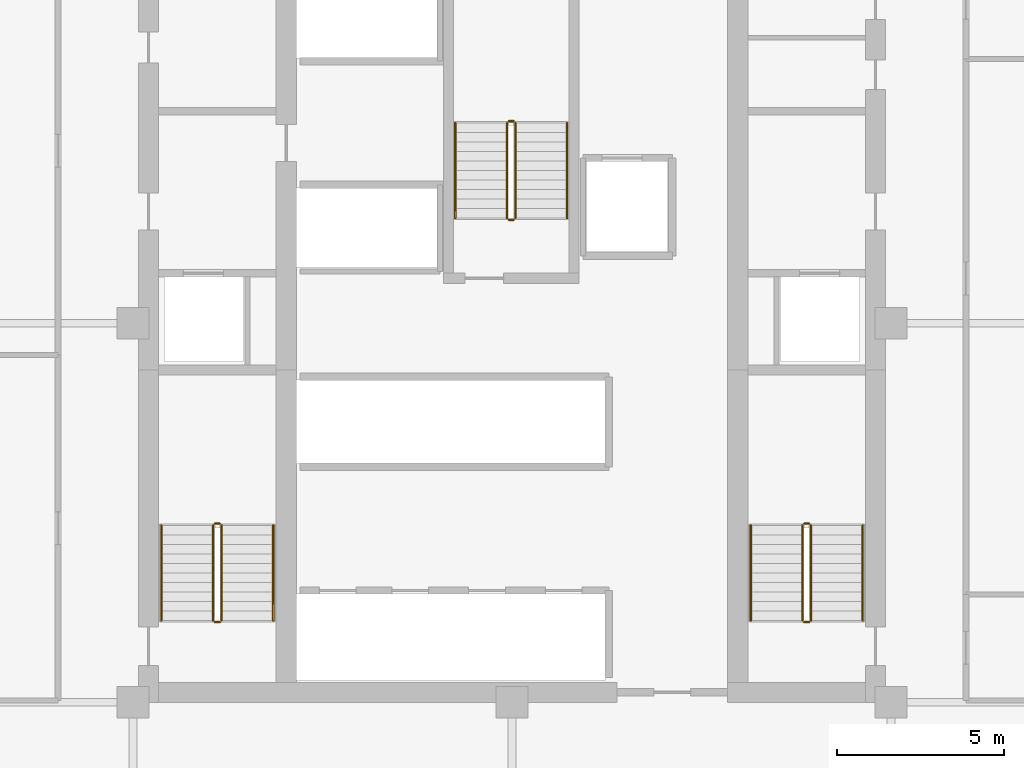
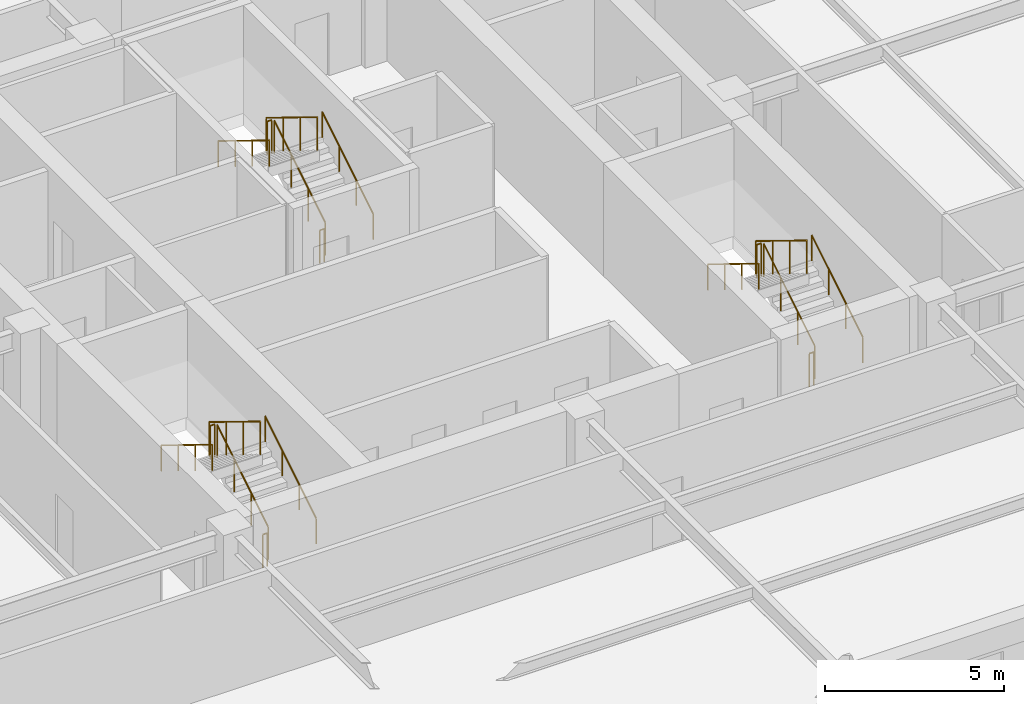
# One storey, part 6 of 6: 18 railings.
"""IFC4 building model written with IfcOpenShell, lengths in metres."""

from ifc_helpers import new_model, si_unit, direction, frame, origin, origin_2d, place, context, subcontext, project, spatial, circle, extrude, material, type_object, element, save


model = new_model("IFC4")

# Units and contexts
model_context = context("Model", 3, precision=1e-05, world=origin(), true_north=direction((0.0, 1.0)))
body_context = subcontext(model_context, "Body", "Model", "MODEL_VIEW")
ifc_project = project(units=[si_unit("LENGTHUNIT", "METRE"), si_unit("AREAUNIT", "SQUARE_METRE"), si_unit("VOLUMEUNIT", "CUBIC_METRE"), si_unit("PLANEANGLEUNIT", "RADIAN"), si_unit("MASSUNIT", "GRAM", prefix="KILO")], contexts=[model_context])

# Site, building, storey
site_placement = place(None, origin())
site = spatial("IfcSite", under=ifc_project, at=site_placement, CompositionType="ELEMENT")
building_placement = place(site_placement, origin())
building = spatial("IfcBuilding", under=site, at=building_placement, Name="Nhamokura Convention Tower", CompositionType="ELEMENT")
storey_placement = place(building_placement, frame((0.0, 0.0, 114.449951171875)))
storey = spatial("IfcBuildingStorey", under=building, at=storey_placement, Name="L27", CompositionType="ELEMENT", Elevation=114.449951171875)

# Railings
ifc_material_1 = material(Name="Anodised bronze stainless steel", Category="steel")
railing_type_1 = type_object("IfcRailingType", Name="StairWallHandrail_900", PredefinedType="HANDRAIL", material=ifc_material_1)
railing_1_placement = place(storey_placement, frame((24.85009765625, 23.10009765625, 0.175048828125)))
element("IfcRailing", 1, at=railing_1_placement, inside=storey, type_object=railing_type_1, Name="L27 ST-01 stair handrail 1", PredefinedType="HANDRAIL", context=body_context, shape_type="SweptSolid", body=[
    extrude(circle(Radius=0.02392578125, at=origin_2d()), frame((0.0, 0.0, 0.8759765625), z_axis=(0.0, 0.852159232446, 0.523282564737), x_axis=(-1.0, 0.0, 0.0)), (0.0, 0.0, 1.0), 3.34423828125),
    extrude(circle(Radius=0.02099609375, at=origin_2d()), origin(), (0.0, 0.0, 1.0), 0.851806640625),
    extrude(circle(Radius=0.02099609375, at=origin_2d()), frame((0.0, 0.949951171875, 0.583251953125)), (0.0, 0.0, 1.0), 0.851806640625),
    extrude(circle(Radius=0.02099609375, at=origin_2d()), frame((0.0, 1.89990234375, 1.166748046875)), (0.0, 0.0, 1.0), 0.851806640625),
    extrude(circle(Radius=0.02099609375, at=origin_2d()), frame((0.0, 2.849853515625, 1.75)), (0.0, 0.0, 1.0), 0.851806640625),
])
railing_2_placement = place(storey_placement, frame((21.5, 25.949951171875, 2.10009765625)))
element("IfcRailing", 2, at=railing_2_placement, inside=storey, type_object=railing_type_1, Name="L27 ST-01 stair handrail 2", PredefinedType="HANDRAIL", context=body_context, shape_type="SweptSolid", body=[
    extrude(circle(Radius=0.02392578125, at=origin_2d()), frame((0.0, 0.0, 0.8759765625), z_axis=(0.0, -0.852159232446, 0.523282564737), x_axis=(1.0, 0.0, 0.0)), (0.0, 0.0, 1.0), 3.34423828125),
    extrude(circle(Radius=0.02099609375, at=origin_2d()), origin(), (0.0, 0.0, 1.0), 0.851806640625),
    extrude(circle(Radius=0.02099609375, at=origin_2d()), frame((0.0, -0.949951171875, 0.583251953125)), (0.0, 0.0, 1.0), 0.851806640625),
    extrude(circle(Radius=0.02099609375, at=origin_2d()), frame((0.0, -1.89990234375, 1.166748046875)), (0.0, 0.0, 1.0), 0.851806640625),
    extrude(circle(Radius=0.02099609375, at=origin_2d()), frame((0.0, -2.849853515625, 1.75)), (0.0, 0.0, 1.0), 0.851806640625),
])
railing_3_placement = place(storey_placement, frame((42.5, 23.10009765625, 0.175048828125)))
element("IfcRailing", 3, at=railing_3_placement, inside=storey, type_object=railing_type_1, Name="L27 ST-02 stair handrail 1", PredefinedType="HANDRAIL", context=body_context, shape_type="SweptSolid", body=[
    extrude(circle(Radius=0.02392578125, at=origin_2d()), frame((0.0, 0.0, 0.8759765625), z_axis=(0.0, 0.852159232446, 0.523282564737), x_axis=(-1.0, 0.0, 0.0)), (0.0, 0.0, 1.0), 3.34423828125),
    extrude(circle(Radius=0.02099609375, at=origin_2d()), origin(), (0.0, 0.0, 1.0), 0.851806640625),
    extrude(circle(Radius=0.02099609375, at=origin_2d()), frame((0.0, 0.949951171875, 0.583251953125)), (0.0, 0.0, 1.0), 0.851806640625),
    extrude(circle(Radius=0.02099609375, at=origin_2d()), frame((0.0, 1.89990234375, 1.166748046875)), (0.0, 0.0, 1.0), 0.851806640625),
    extrude(circle(Radius=0.02099609375, at=origin_2d()), frame((0.0, 2.849853515625, 1.75)), (0.0, 0.0, 1.0), 0.851806640625),
])
railing_4_placement = place(storey_placement, frame((39.14990234375, 25.949951171875, 2.10009765625)))
element("IfcRailing", 4, at=railing_4_placement, inside=storey, type_object=railing_type_1, Name="L27 ST-02 stair handrail 2", PredefinedType="HANDRAIL", context=body_context, shape_type="SweptSolid", body=[
    extrude(circle(Radius=0.02392578125, at=origin_2d()), frame((0.0, 0.0, 0.8759765625), z_axis=(0.0, -0.852159232446, 0.523282564737), x_axis=(1.0, 0.0, 0.0)), (0.0, 0.0, 1.0), 3.34423828125),
    extrude(circle(Radius=0.02099609375, at=origin_2d()), origin(), (0.0, 0.0, 1.0), 0.851806640625),
    extrude(circle(Radius=0.02099609375, at=origin_2d()), frame((0.0, -0.949951171875, 0.583251953125)), (0.0, 0.0, 1.0), 0.851806640625),
    extrude(circle(Radius=0.02099609375, at=origin_2d()), frame((0.0, -1.89990234375, 1.166748046875)), (0.0, 0.0, 1.0), 0.851806640625),
    extrude(circle(Radius=0.02099609375, at=origin_2d()), frame((0.0, -2.849853515625, 1.75)), (0.0, 0.0, 1.0), 0.851806640625),
])
railing_5_placement = place(storey_placement, frame((33.64990234375, 35.14990234375, 0.175048828125)))
element("IfcRailing", 5, at=railing_5_placement, inside=storey, type_object=railing_type_1, Name="L27 ST-03 stair handrail 1", PredefinedType="HANDRAIL", context=body_context, shape_type="SweptSolid", body=[
    extrude(circle(Radius=0.02392578125, at=origin_2d()), frame((0.0, 0.0, 0.8759765625), z_axis=(0.0, 0.852179220489, 0.52325001306), x_axis=(-1.0, 0.0, 0.0)), (0.0, 0.0, 1.0), 3.344482421875),
    extrude(circle(Radius=0.02099609375, at=origin_2d()), origin(), (0.0, 0.0, 1.0), 0.851806640625),
    extrude(circle(Radius=0.02099609375, at=origin_2d()), frame((0.0, 0.949951171875, 0.583251953125)), (0.0, 0.0, 1.0), 0.851806640625),
    extrude(circle(Radius=0.02099609375, at=origin_2d()), frame((0.0, 1.900146484375, 1.166748046875)), (0.0, 0.0, 1.0), 0.851806640625),
    extrude(circle(Radius=0.02099609375, at=origin_2d()), frame((0.0, 2.85009765625, 1.75)), (0.0, 0.0, 1.0), 0.851806640625),
])
railing_6_placement = place(storey_placement, frame((30.300048828125, 38.0, 2.10009765625)))
element("IfcRailing", 6, at=railing_6_placement, inside=storey, type_object=railing_type_1, Name="L27 ST-03 stair handrail 2", PredefinedType="HANDRAIL", context=body_context, shape_type="SweptSolid", body=[
    extrude(circle(Radius=0.02392578125, at=origin_2d()), frame((0.0, 0.0, 0.8759765625), z_axis=(0.0, -0.852179220489, 0.52325001306), x_axis=(1.0, 0.0, 0.0)), (0.0, 0.0, 1.0), 3.344482421875),
    extrude(circle(Radius=0.02099609375, at=origin_2d()), origin(), (0.0, 0.0, 1.0), 0.851806640625),
    extrude(circle(Radius=0.02099609375, at=origin_2d()), frame((0.0, -0.949951171875, 0.583251953125)), (0.0, 0.0, 1.0), 0.851806640625),
    extrude(circle(Radius=0.02099609375, at=origin_2d()), frame((0.0, -1.900146484375, 1.166748046875)), (0.0, 0.0, 1.0), 0.851806640625),
    extrude(circle(Radius=0.02099609375, at=origin_2d()), frame((0.0, -2.85009765625, 1.75)), (0.0, 0.0, 1.0), 0.851806640625),
])
ifc_material_2 = material(Name="Painted tubular steel", Category="steel")
railing_type_2 = type_object("IfcRailingType", Name="StairWellGuardrail_1150", PredefinedType="GUARDRAIL", material=ifc_material_2)
railing_7_placement = place(storey_placement, frame((23.300048828125, 23.10009765625, 0.175048828125)))
element("IfcRailing", 7, at=railing_7_placement, inside=storey, type_object=railing_type_2, Name="L27 ST-01 stair guard 1", PredefinedType="GUARDRAIL", context=body_context, shape_type="SweptSolid", body=[
    extrude(circle(Radius=0.02392578125, at=origin_2d()), frame((0.0, 0.0, 1.1259765625), z_axis=(0.0, 0.852159232446, 0.523282564737), x_axis=(-1.0, 0.0, 0.0)), (0.0, 0.0, 1.0), 3.34423828125),
    extrude(circle(Radius=0.02099609375, at=origin_2d()), origin(), (0.0, 0.0, 1.0), 1.101806640625),
    extrude(circle(Radius=0.02099609375, at=origin_2d()), frame((0.0, 0.949951171875, 0.583251953125)), (0.0, 0.0, 1.0), 1.101806640625),
    extrude(circle(Radius=0.02099609375, at=origin_2d()), frame((0.0, 1.89990234375, 1.166748046875)), (0.0, 0.0, 1.0), 1.101806640625),
    extrude(circle(Radius=0.02099609375, at=origin_2d()), frame((0.0, 2.849853515625, 1.75)), (0.0, 0.0, 1.0), 1.101806640625),
])
railing_8_placement = place(storey_placement, frame((23.25, 26.0, 1.925048828125)))
element("IfcRailing", 8, at=railing_8_placement, inside=storey, type_object=railing_type_2, Name="L27 ST-01 stair guard 2", PredefinedType="GUARDRAIL", context=body_context, shape_type="SweptSolid", body=[
    extrude(circle(Radius=0.02392578125, at=origin_2d()), frame((0.0, 0.0, 1.1259765625), z_axis=(-1.0, 0.0, 0.0), x_axis=(0.0, -1.0, 0.0)), (0.0, 0.0, 1.0), 0.14990234375),
    extrude(circle(Radius=0.02099609375, at=origin_2d()), origin(), (0.0, 0.0, 1.0), 1.101806640625),
    extrude(circle(Radius=0.02099609375, at=origin_2d()), frame((-0.14990234375, 0.0, 0.0)), (0.0, 0.0, 1.0), 1.101806640625),
])
railing_9_placement = place(storey_placement, frame((23.050048828125, 25.949951171875, 2.10009765625)))
element("IfcRailing", 9, at=railing_9_placement, inside=storey, type_object=railing_type_2, Name="L27 ST-01 stair guard 3", PredefinedType="GUARDRAIL", context=body_context, shape_type="SweptSolid", body=[
    extrude(circle(Radius=0.02392578125, at=origin_2d()), frame((0.0, 0.0, 1.1259765625), z_axis=(0.0, -0.852159232446, 0.523282564737), x_axis=(1.0, 0.0, 0.0)), (0.0, 0.0, 1.0), 3.34423828125),
    extrude(circle(Radius=0.02099609375, at=origin_2d()), origin(), (0.0, 0.0, 1.0), 1.101806640625),
    extrude(circle(Radius=0.02099609375, at=origin_2d()), frame((0.0, -0.949951171875, 0.583251953125)), (0.0, 0.0, 1.0), 1.101806640625),
    extrude(circle(Radius=0.02099609375, at=origin_2d()), frame((0.0, -1.89990234375, 1.166748046875)), (0.0, 0.0, 1.0), 1.101806640625),
    extrude(circle(Radius=0.02099609375, at=origin_2d()), frame((0.0, -2.849853515625, 1.75)), (0.0, 0.0, 1.0), 1.101806640625),
])
railing_10_placement = place(storey_placement, frame((23.25, 23.050048828125, 0.0)))
element("IfcRailing", 10, at=railing_10_placement, inside=storey, type_object=railing_type_2, Name="L27 ST-01 stair guard 4", PredefinedType="GUARDRAIL", context=body_context, shape_type="SweptSolid", body=[
    extrude(circle(Radius=0.02392578125, at=origin_2d()), frame((0.0, 0.0, 1.1259765625), z_axis=(-1.0, 0.0, 0.0), x_axis=(0.0, -1.0, 0.0)), (0.0, 0.0, 1.0), 0.14990234375),
    extrude(circle(Radius=0.02099609375, at=origin_2d()), origin(), (0.0, 0.0, 1.0), 1.101806640625),
    extrude(circle(Radius=0.02099609375, at=origin_2d()), frame((-0.14990234375, 0.0, 0.0)), (0.0, 0.0, 1.0), 1.101806640625),
])
railing_11_placement = place(storey_placement, frame((40.949951171875, 23.10009765625, 0.175048828125)))
element("IfcRailing", 11, at=railing_11_placement, inside=storey, type_object=railing_type_2, Name="L27 ST-02 stair guard 1", PredefinedType="GUARDRAIL", context=body_context, shape_type="SweptSolid", body=[
    extrude(circle(Radius=0.02392578125, at=origin_2d()), frame((0.0, 0.0, 1.1259765625), z_axis=(0.0, 0.852159232446, 0.523282564737), x_axis=(-1.0, 0.0, 0.0)), (0.0, 0.0, 1.0), 3.34423828125),
    extrude(circle(Radius=0.02099609375, at=origin_2d()), origin(), (0.0, 0.0, 1.0), 1.101806640625),
    extrude(circle(Radius=0.02099609375, at=origin_2d()), frame((0.0, 0.949951171875, 0.583251953125)), (0.0, 0.0, 1.0), 1.101806640625),
    extrude(circle(Radius=0.02099609375, at=origin_2d()), frame((0.0, 1.89990234375, 1.166748046875)), (0.0, 0.0, 1.0), 1.101806640625),
    extrude(circle(Radius=0.02099609375, at=origin_2d()), frame((0.0, 2.849853515625, 1.75)), (0.0, 0.0, 1.0), 1.101806640625),
])
railing_12_placement = place(storey_placement, frame((40.89990234375, 26.0, 1.925048828125)))
element("IfcRailing", 12, at=railing_12_placement, inside=storey, type_object=railing_type_2, Name="L27 ST-02 stair guard 2", PredefinedType="GUARDRAIL", context=body_context, shape_type="SweptSolid", body=[
    extrude(circle(Radius=0.02392578125, at=origin_2d()), frame((0.0, 0.0, 1.1259765625), z_axis=(-1.0, 0.0, 0.0), x_axis=(0.0, -1.0, 0.0)), (0.0, 0.0, 1.0), 0.14990234375),
    extrude(circle(Radius=0.02099609375, at=origin_2d()), origin(), (0.0, 0.0, 1.0), 1.101806640625),
    extrude(circle(Radius=0.02099609375, at=origin_2d()), frame((-0.14990234375, 0.0, 0.0)), (0.0, 0.0, 1.0), 1.101806640625),
])
railing_13_placement = place(storey_placement, frame((40.699951171875, 25.949951171875, 2.10009765625)))
element("IfcRailing", 13, at=railing_13_placement, inside=storey, type_object=railing_type_2, Name="L27 ST-02 stair guard 3", PredefinedType="GUARDRAIL", context=body_context, shape_type="SweptSolid", body=[
    extrude(circle(Radius=0.02392578125, at=origin_2d()), frame((0.0, 0.0, 1.1259765625), z_axis=(0.0, -0.852159232446, 0.523282564737), x_axis=(1.0, 0.0, 0.0)), (0.0, 0.0, 1.0), 3.34423828125),
    extrude(circle(Radius=0.02099609375, at=origin_2d()), origin(), (0.0, 0.0, 1.0), 1.101806640625),
    extrude(circle(Radius=0.02099609375, at=origin_2d()), frame((0.0, -0.949951171875, 0.583251953125)), (0.0, 0.0, 1.0), 1.101806640625),
    extrude(circle(Radius=0.02099609375, at=origin_2d()), frame((0.0, -1.89990234375, 1.166748046875)), (0.0, 0.0, 1.0), 1.101806640625),
    extrude(circle(Radius=0.02099609375, at=origin_2d()), frame((0.0, -2.849853515625, 1.75)), (0.0, 0.0, 1.0), 1.101806640625),
])
railing_14_placement = place(storey_placement, frame((40.89990234375, 23.050048828125, 0.0)))
element("IfcRailing", 14, at=railing_14_placement, inside=storey, type_object=railing_type_2, Name="L27 ST-02 stair guard 4", PredefinedType="GUARDRAIL", context=body_context, shape_type="SweptSolid", body=[
    extrude(circle(Radius=0.02392578125, at=origin_2d()), frame((0.0, 0.0, 1.1259765625), z_axis=(-1.0, 0.0, 0.0), x_axis=(0.0, -1.0, 0.0)), (0.0, 0.0, 1.0), 0.14990234375),
    extrude(circle(Radius=0.02099609375, at=origin_2d()), origin(), (0.0, 0.0, 1.0), 1.101806640625),
    extrude(circle(Radius=0.02099609375, at=origin_2d()), frame((-0.14990234375, 0.0, 0.0)), (0.0, 0.0, 1.0), 1.101806640625),
])
railing_15_placement = place(storey_placement, frame((32.10009765625, 35.14990234375, 0.175048828125)))
element("IfcRailing", 15, at=railing_15_placement, inside=storey, type_object=railing_type_2, Name="L27 ST-03 stair guard 1", PredefinedType="GUARDRAIL", context=body_context, shape_type="SweptSolid", body=[
    extrude(circle(Radius=0.02392578125, at=origin_2d()), frame((0.0, 0.0, 1.1259765625), z_axis=(0.0, 0.852179220489, 0.52325001306), x_axis=(-1.0, 0.0, 0.0)), (0.0, 0.0, 1.0), 3.344482421875),
    extrude(circle(Radius=0.02099609375, at=origin_2d()), origin(), (0.0, 0.0, 1.0), 1.101806640625),
    extrude(circle(Radius=0.02099609375, at=origin_2d()), frame((0.0, 0.949951171875, 0.583251953125)), (0.0, 0.0, 1.0), 1.101806640625),
    extrude(circle(Radius=0.02099609375, at=origin_2d()), frame((0.0, 1.900146484375, 1.166748046875)), (0.0, 0.0, 1.0), 1.101806640625),
    extrude(circle(Radius=0.02099609375, at=origin_2d()), frame((0.0, 2.85009765625, 1.75)), (0.0, 0.0, 1.0), 1.101806640625),
])
railing_16_placement = place(storey_placement, frame((32.050048828125, 38.050048828125, 1.925048828125)))
element("IfcRailing", 16, at=railing_16_placement, inside=storey, type_object=railing_type_2, Name="L27 ST-03 stair guard 2", PredefinedType="GUARDRAIL", context=body_context, shape_type="SweptSolid", body=[
    extrude(circle(Radius=0.02392578125, at=origin_2d()), frame((0.0, 0.0, 1.1259765625), z_axis=(-1.0, 0.0, 0.0), x_axis=(0.0, -1.0, 0.0)), (0.0, 0.0, 1.0), 0.150146484375),
    extrude(circle(Radius=0.02099609375, at=origin_2d()), origin(), (0.0, 0.0, 1.0), 1.101806640625),
    extrude(circle(Radius=0.02099609375, at=origin_2d()), frame((-0.150146484375, 0.0, 0.0)), (0.0, 0.0, 1.0), 1.101806640625),
])
railing_17_placement = place(storey_placement, frame((31.85009765625, 38.0, 2.10009765625)))
element("IfcRailing", 17, at=railing_17_placement, inside=storey, type_object=railing_type_2, Name="L27 ST-03 stair guard 3", PredefinedType="GUARDRAIL", context=body_context, shape_type="SweptSolid", body=[
    extrude(circle(Radius=0.02392578125, at=origin_2d()), frame((0.0, 0.0, 1.1259765625), z_axis=(0.0, -0.852179220489, 0.52325001306), x_axis=(1.0, 0.0, 0.0)), (0.0, 0.0, 1.0), 3.344482421875),
    extrude(circle(Radius=0.02099609375, at=origin_2d()), origin(), (0.0, 0.0, 1.0), 1.101806640625),
    extrude(circle(Radius=0.02099609375, at=origin_2d()), frame((0.0, -0.949951171875, 0.583251953125)), (0.0, 0.0, 1.0), 1.101806640625),
    extrude(circle(Radius=0.02099609375, at=origin_2d()), frame((0.0, -1.900146484375, 1.166748046875)), (0.0, 0.0, 1.0), 1.101806640625),
    extrude(circle(Radius=0.02099609375, at=origin_2d()), frame((0.0, -2.85009765625, 1.75)), (0.0, 0.0, 1.0), 1.101806640625),
])
railing_18_placement = place(storey_placement, frame((32.050048828125, 35.10009765625, 0.0)))
element("IfcRailing", 18, at=railing_18_placement, inside=storey, type_object=railing_type_2, Name="L27 ST-03 stair guard 4", PredefinedType="GUARDRAIL", context=body_context, shape_type="SweptSolid", body=[
    extrude(circle(Radius=0.02392578125, at=origin_2d()), frame((0.0, 0.0, 1.1259765625), z_axis=(-1.0, 0.0, 0.0), x_axis=(0.0, -1.0, 0.0)), (0.0, 0.0, 1.0), 0.150146484375),
    extrude(circle(Radius=0.02099609375, at=origin_2d()), origin(), (0.0, 0.0, 1.0), 1.101806640625),
    extrude(circle(Radius=0.02099609375, at=origin_2d()), frame((-0.150146484375, 0.0, 0.0)), (0.0, 0.0, 1.0), 1.101806640625),
])

save(model, "model.ifc")
